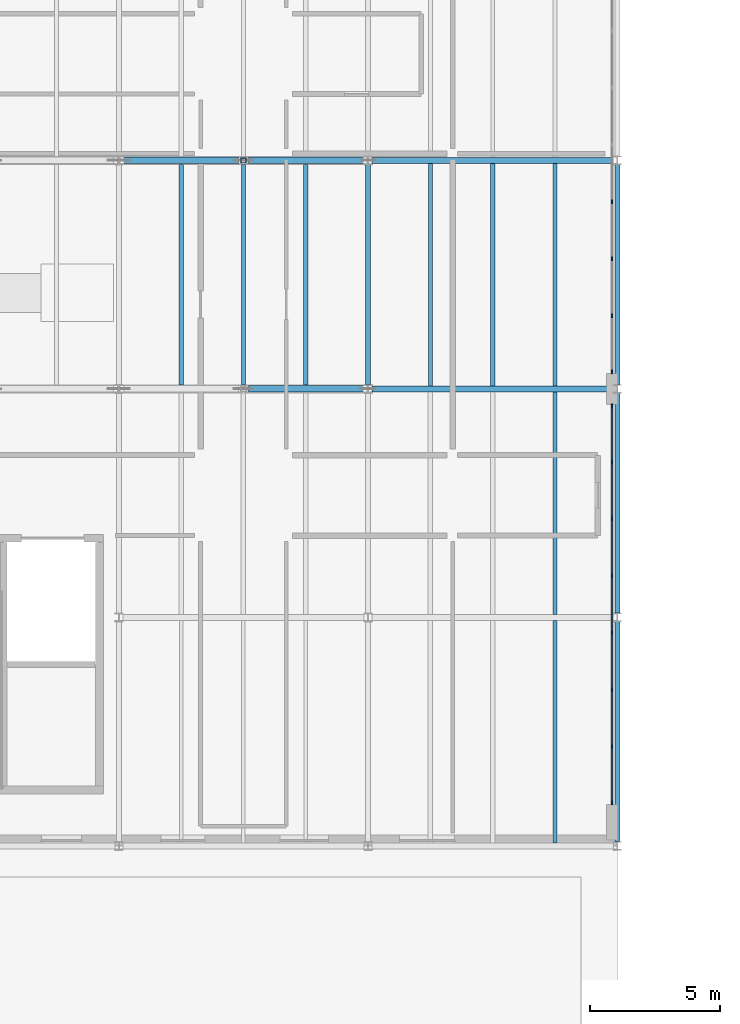
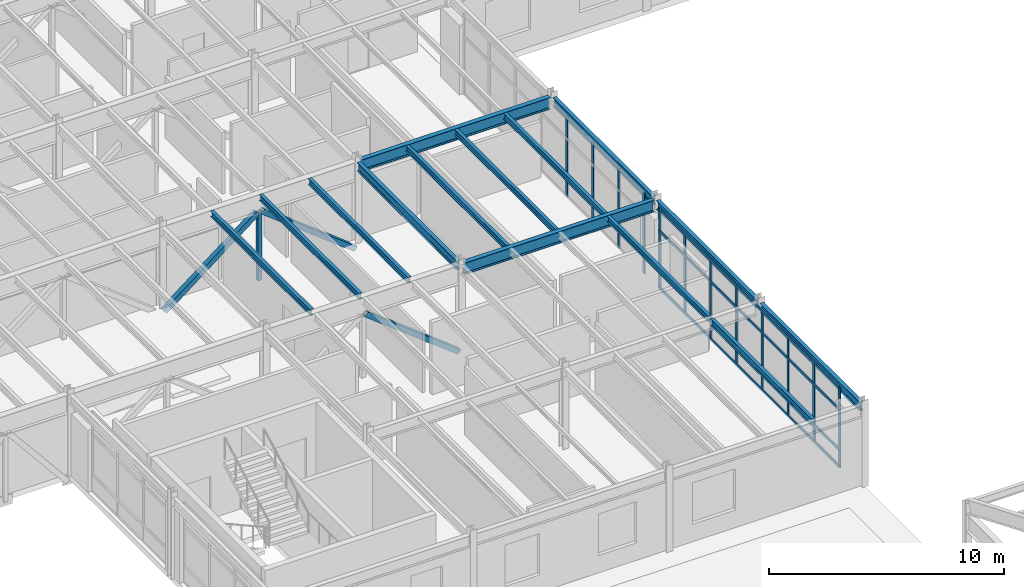
# One storey, part 22 of 88: 20 members, 14 beams, 2 elements without a shape of their own.
"""IFC4 building model written with IfcOpenShell, lengths in metres."""

from ifc_helpers import new_model, si_unit, direction, frame, origin, origin_2d, place, context, subcontext, project, spatial, rectangle, hollow_rectangle, i_section, extrude, material, material_profile, profile_set, type_object, element, aggregate, save


model = new_model("IFC4")

# Units and contexts
model_context = context("Model", 3, precision=1e-05, world=origin(), true_north=direction((0.0, 1.0)))
body_context = subcontext(model_context, "Body", "Model", "MODEL_VIEW")
ifc_project = project(units=[si_unit("LENGTHUNIT", "METRE"), si_unit("AREAUNIT", "SQUARE_METRE"), si_unit("VOLUMEUNIT", "CUBIC_METRE"), si_unit("PLANEANGLEUNIT", "RADIAN"), si_unit("MASSUNIT", "GRAM", prefix="KILO")], contexts=[model_context])

# Site, building, storey
site_placement = place(None, origin())
site = spatial("IfcSite", under=ifc_project, at=site_placement, CompositionType="ELEMENT")
building_placement = place(site_placement, origin())
building = spatial("IfcBuilding", under=site, at=building_placement, Name="Sarnbrook Museum", CompositionType="ELEMENT")
storey_placement = place(building_placement, frame((0.0, 0.0, 10.10009765625)))
storey = spatial("IfcBuildingStorey", under=building, at=storey_placement, Name="L02", CompositionType="ELEMENT", Elevation=10.10009765625)

# Beams
ifc_material_1 = material(Name="Structural Steel Grade 300PLUS (AS/NZS 3679.1, fy = 280 MPa for 17 < t <= 40 mm, 300 MPa for t <= 17 mm)", Category="steel")
ifc_material_profile_1 = material_profile(ifc_material_1, i_section(OverallWidth=0.18994140625, OverallDepth=0.45703125, WebThickness=0.009033203125, FlangeThickness=0.014404296875, FilletRadius=0.011474609375, at=origin_2d()), Name="460UB74.6")
ifc_profile_set_1 = profile_set([ifc_material_profile_1], Name="Structural Steel Grade 300PLUS (AS/NZS 3679.1, fy = 280 MPa for 17 < t <= 40 mm, 300 MPa for t <= 17 mm)")
beam_type_1 = type_object("IfcBeamType", Name="BM-UB460", PredefinedType="BEAM", material=ifc_profile_set_1)
beam_1_placement = place(storey_placement, frame((32.800048828125, 56.96337890625, 3.991455078125), z_axis=(0.0, 1.0, 0.0), x_axis=(-1.0, 0.0, 0.0)))
element("IfcBeam", 1, at=beam_1_placement, inside=storey, type_object=beam_type_1, Name="Girder 4:G-H L02", PredefinedType="BEAM", context=body_context, shape_type="SweptSolid", body=[
    extrude(i_section(OverallWidth=0.18994140625, OverallDepth=0.45703125, WebThickness=0.009033203125, FlangeThickness=0.014404296875, FilletRadius=0.011474609375, at=origin_2d()), origin(), (0.0, 0.0, 1.0), 8.47314453125),
])
for number, where, z_axis, x_axis, name in (
    (2, (42.39990234375, 39.363525390625, 3.991455078125), (0.0, 1.0, 0.0), (-1.0, 0.0, 0.0), "Girder 5:E-F L02"),
    (3, (42.39990234375, 48.16357421875, 3.991455078125), (0.0, 1.0, 0.0), (-1.0, 0.0, 0.0), "Girder 5:F-G L02"),
):
    element("IfcBeam", number, at=place(storey_placement, frame(where, z_axis=z_axis, x_axis=x_axis)), inside=storey, type_object=beam_type_1, Name=name, PredefinedType="BEAM", context=body_context, shape_type="SweptSolid", body=[
        extrude(i_section(OverallWidth=0.18994140625, OverallDepth=0.45703125, WebThickness=0.009033203125, FlangeThickness=0.014404296875, FilletRadius=0.011474609375, at=origin_2d()), origin(), (0.0, 0.0, 1.0), 8.472900390625),
    ])
beam_2_placement = place(storey_placement, frame((42.39990234375, 56.96337890625, 3.991455078125), z_axis=(0.0, 1.0, 0.0), x_axis=(-1.0, 0.0, 0.0)))
element("IfcBeam", 4, at=beam_2_placement, inside=storey, type_object=beam_type_1, Name="Girder 5:G-H L02", PredefinedType="BEAM", context=body_context, shape_type="SweptSolid", body=[
    extrude(i_section(OverallWidth=0.18994140625, OverallDepth=0.45703125, WebThickness=0.009033203125, FlangeThickness=0.014404296875, FilletRadius=0.011474609375, at=origin_2d()), origin(), (0.0, 0.0, 1.0), 8.47314453125),
])
ifc_material_profile_2 = material_profile(ifc_material_1, i_section(OverallWidth=0.22802734375, OverallDepth=0.60693359375, WebThickness=0.01123046875, FlangeThickness=0.017333984375, FilletRadius=0.013916015625, at=origin_2d()), Name="610UB113")
ifc_profile_set_2 = profile_set([ifc_material_profile_2], Name="Structural Steel Grade 300PLUS (AS/NZS 3679.1, fy = 280 MPa for 17 < t <= 40 mm, 300 MPa for t <= 17 mm)")
beam_type_2 = type_object("IfcBeamType", Name="BM-UB610", PredefinedType="BEAM", material=ifc_profile_set_2)
for number, where, z_axis, x_axis, name in (
    (5, (32.95556640625, 56.800048828125, 3.91650390625), (1.0, 0.0, 0.0), (0.0, 1.0, 0.0), "Girder G:4-5 L02"),
    (6, (32.95556640625, 65.60009765625, 3.91650390625), (1.0, 0.0, 0.0), (0.0, 1.0, 0.0), "Girder H:4-5 L02"),
):
    element("IfcBeam", number, at=place(storey_placement, frame(where, z_axis=z_axis, x_axis=x_axis)), inside=storey, type_object=beam_type_2, Name=name, PredefinedType="BEAM", context=body_context, shape_type="SweptSolid", body=[
        extrude(i_section(OverallWidth=0.22802734375, OverallDepth=0.60693359375, WebThickness=0.01123046875, FlangeThickness=0.017333984375, FilletRadius=0.013916015625, at=origin_2d()), origin(), (0.0, 0.0, 1.0), 9.288818359375),
    ])

# Member
ifc_material_2 = material(Name="Structural Steel Hollow Section Grade C350L0 (AS/NZS 1163, fy = 350 MPa)", Category="steel")
ifc_material_profile_3 = material_profile(ifc_material_2, hollow_rectangle(XDim=0.199951171875, YDim=0.199951171875, WallThickness=0.010009765625, at=origin_2d()), Name="200x200x10.0SHS")
ifc_profile_set_3 = profile_set([ifc_material_profile_3], Name="Structural Steel Hollow Section Grade C350L0 (AS/NZS 1163, fy = 350 MPa)")
member_type_1 = type_object("IfcMemberType", Name="CH-SHS200", PredefinedType="CHORD", material=ifc_profile_set_3)
member_1_placement = place(storey_placement, frame((28.0, 65.60009765625, -0.300048828125), z_axis=(0.0, 0.0, 1.0), x_axis=(1.0, 0.0, 0.0)))
element("IfcMember", 7, at=member_1_placement, inside=storey, type_object=member_type_1, Name="Transfer Truss TT2 Web Post 1", PredefinedType="CHORD", context=body_context, shape_type="SweptSolid", body=[
    extrude(hollow_rectangle(XDim=0.199951171875, YDim=0.199951171875, WallThickness=0.010009765625, at=origin_2d()), origin(), (0.0, 0.0, 1.0), 3.5400390625),
])

# Curtain wall, members
ifc_material_3 = material(Name="Thermally Broken Anodised Aluminium 6063-T6", Category="aluminium")
curtain_wall_type = type_object("IfcCurtainWallType", Name="CurtainWall_GalleryRibbon", PredefinedType="NOTDEFINED", material=ifc_material_3)
curtain_wall_1_placement = place(storey_placement, origin())
curtain_wall_1 = element("IfcCurtainWall", 8, at=curtain_wall_1_placement, inside=storey, type_object=curtain_wall_type, Name="Gallery Ribbon Curtain Wall L02-12.1", PredefinedType="NOTDEFINED")
ifc_material_profile_4 = material_profile(ifc_material_3, rectangle(XDim=0.06005859375, YDim=0.159912109375, at=origin_2d()), Name="ALU MULLION 60x160")
ifc_profile_set_4 = profile_set([ifc_material_profile_4], Name="Thermally Broken Anodised Aluminium 6063-T6")
member_type_2 = type_object("IfcMemberType", Name="CW_Mullion_150x65", PredefinedType="MULLION", material=ifc_profile_set_4)
member_2_placement = place(storey_placement, frame((42.18994140625, 40.860107421875, 0.0), z_axis=(0.0, 0.0, 1.0), x_axis=(1.0, 0.0, 0.0)))
member_2 = element("IfcMember", 9, at=member_2_placement, type_object=member_type_2, Name="Gallery Ribbon Curtain Wall L02-12.1 Mullion 1", PredefinedType="MULLION", context=body_context, shape_type="SweptSolid", body=[
    extrude(rectangle(XDim=0.06005859375, YDim=0.159912109375, at=origin_2d()), origin(), (0.0, 0.0, 1.0), 4.159912109375),
])
member_3_placement = place(storey_placement, frame((42.18994140625, 43.014404296875, 0.0), z_axis=(0.0, 0.0, 1.0), x_axis=(1.0, 0.0, 0.0)))
member_3 = element("IfcMember", 10, at=member_3_placement, type_object=member_type_2, Name="Gallery Ribbon Curtain Wall L02-12.1 Mullion 2", PredefinedType="MULLION", context=body_context, shape_type="SweptSolid", body=[
    extrude(rectangle(XDim=0.06005859375, YDim=0.159912109375, at=origin_2d()), origin(), (0.0, 0.0, 1.0), 4.159912109375),
])
member_4_placement = place(storey_placement, frame((42.18994140625, 45.20849609375, 0.0), z_axis=(0.0, 0.0, 1.0), x_axis=(1.0, 0.0, 0.0)))
member_4 = element("IfcMember", 11, at=member_4_placement, type_object=member_type_2, Name="Gallery Ribbon Curtain Wall L02-12.1 Mullion 3", PredefinedType="MULLION", context=body_context, shape_type="SweptSolid", body=[
    extrude(rectangle(XDim=0.06005859375, YDim=0.159912109375, at=origin_2d()), origin(), (0.0, 0.0, 1.0), 4.159912109375),
])
member_5_placement = place(storey_placement, frame((42.18994140625, 47.40283203125, 0.0), z_axis=(0.0, 0.0, 1.0), x_axis=(1.0, 0.0, 0.0)))
member_5 = element("IfcMember", 12, at=member_5_placement, type_object=member_type_2, Name="Gallery Ribbon Curtain Wall L02-12.1 Mullion 4", PredefinedType="MULLION", context=body_context, shape_type="SweptSolid", body=[
    extrude(rectangle(XDim=0.06005859375, YDim=0.159912109375, at=origin_2d()), origin(), (0.0, 0.0, 1.0), 4.159912109375),
])
member_6_placement = place(storey_placement, frame((42.18994140625, 49.59716796875, 0.0), z_axis=(0.0, 0.0, 1.0), x_axis=(1.0, 0.0, 0.0)))
member_6 = element("IfcMember", 13, at=member_6_placement, type_object=member_type_2, Name="Gallery Ribbon Curtain Wall L02-12.1 Mullion 5", PredefinedType="MULLION", context=body_context, shape_type="SweptSolid", body=[
    extrude(rectangle(XDim=0.06005859375, YDim=0.159912109375, at=origin_2d()), origin(), (0.0, 0.0, 1.0), 4.159912109375),
])
member_7_placement = place(storey_placement, frame((42.18994140625, 51.79150390625, 0.0), z_axis=(0.0, 0.0, 1.0), x_axis=(1.0, 0.0, 0.0)))
member_7 = element("IfcMember", 14, at=member_7_placement, type_object=member_type_2, Name="Gallery Ribbon Curtain Wall L02-12.1 Mullion 6", PredefinedType="MULLION", context=body_context, shape_type="SweptSolid", body=[
    extrude(rectangle(XDim=0.06005859375, YDim=0.159912109375, at=origin_2d()), origin(), (0.0, 0.0, 1.0), 4.159912109375),
])
member_8_placement = place(storey_placement, frame((42.18994140625, 53.985595703125, 0.0), z_axis=(0.0, 0.0, 1.0), x_axis=(1.0, 0.0, 0.0)))
member_8 = element("IfcMember", 15, at=member_8_placement, type_object=member_type_2, Name="Gallery Ribbon Curtain Wall L02-12.1 Mullion 7", PredefinedType="MULLION", context=body_context, shape_type="SweptSolid", body=[
    extrude(rectangle(XDim=0.06005859375, YDim=0.159912109375, at=origin_2d()), origin(), (0.0, 0.0, 1.0), 4.159912109375),
])
member_9_placement = place(storey_placement, frame((42.18994140625, 56.139892578125, 0.0), z_axis=(0.0, 0.0, 1.0), x_axis=(1.0, 0.0, 0.0)))
member_9 = element("IfcMember", 16, at=member_9_placement, type_object=member_type_2, Name="Gallery Ribbon Curtain Wall L02-12.1 Mullion 8", PredefinedType="MULLION", context=body_context, shape_type="SweptSolid", body=[
    extrude(rectangle(XDim=0.06005859375, YDim=0.159912109375, at=origin_2d()), origin(), (0.0, 0.0, 1.0), 4.159912109375),
])

curtain_wall_2_placement = place(storey_placement, origin())
curtain_wall_2 = element("IfcCurtainWall", 17, at=curtain_wall_2_placement, inside=storey, type_object=curtain_wall_type, Name="Gallery Ribbon Curtain Wall L02-12.2", PredefinedType="NOTDEFINED")
member_10_placement = place(storey_placement, frame((42.18994140625, 57.4599609375, 0.0), z_axis=(0.0, 0.0, 1.0), x_axis=(1.0, 0.0, 0.0)))
member_10 = element("IfcMember", 18, at=member_10_placement, type_object=member_type_2, Name="Gallery Ribbon Curtain Wall L02-12.2 Mullion 1", PredefinedType="MULLION", context=body_context, shape_type="SweptSolid", body=[
    extrude(rectangle(XDim=0.06005859375, YDim=0.159912109375, at=origin_2d()), origin(), (0.0, 0.0, 1.0), 4.159912109375),
])
member_11_placement = place(storey_placement, frame((42.18994140625, 59.6142578125, 0.0), z_axis=(0.0, 0.0, 1.0), x_axis=(1.0, 0.0, 0.0)))
member_11 = element("IfcMember", 19, at=member_11_placement, type_object=member_type_2, Name="Gallery Ribbon Curtain Wall L02-12.2 Mullion 2", PredefinedType="MULLION", context=body_context, shape_type="SweptSolid", body=[
    extrude(rectangle(XDim=0.06005859375, YDim=0.159912109375, at=origin_2d()), origin(), (0.0, 0.0, 1.0), 4.159912109375),
])
member_12_placement = place(storey_placement, frame((42.18994140625, 61.80859375, 0.0), z_axis=(0.0, 0.0, 1.0), x_axis=(1.0, 0.0, 0.0)))
member_12 = element("IfcMember", 20, at=member_12_placement, type_object=member_type_2, Name="Gallery Ribbon Curtain Wall L02-12.2 Mullion 3", PredefinedType="MULLION", context=body_context, shape_type="SweptSolid", body=[
    extrude(rectangle(XDim=0.06005859375, YDim=0.159912109375, at=origin_2d()), origin(), (0.0, 0.0, 1.0), 4.159912109375),
])
member_13_placement = place(storey_placement, frame((42.18994140625, 64.0029296875, 0.0), z_axis=(0.0, 0.0, 1.0), x_axis=(1.0, 0.0, 0.0)))
member_13 = element("IfcMember", 21, at=member_13_placement, type_object=member_type_2, Name="Gallery Ribbon Curtain Wall L02-12.2 Mullion 4", PredefinedType="MULLION", context=body_context, shape_type="SweptSolid", body=[
    extrude(rectangle(XDim=0.06005859375, YDim=0.159912109375, at=origin_2d()), origin(), (0.0, 0.0, 1.0), 4.159912109375),
])
aggregate(curtain_wall_2, [member_10, member_11, member_12, member_13])

# Member
ifc_material_profile_5 = material_profile(ifc_material_3, rectangle(XDim=0.06494140625, YDim=0.139892578125, at=origin_2d()), Name="ALU TRANSOM 65x140")
ifc_profile_set_5 = profile_set([ifc_material_profile_5], Name="Thermally Broken Anodised Aluminium 6063-T6")
member_type_3 = type_object("IfcMemberType", Name="CW_Transom_150x65", PredefinedType="USERDEFINED", material=ifc_profile_set_5)
member_14_placement = place(storey_placement, frame((42.18994140625, 40.8701171875, 0.039794921875), z_axis=(0.0, 1.0, 0.0), x_axis=(-1.0, 0.0, 0.0)))
member_14 = element("IfcMember", 22, at=member_14_placement, type_object=member_type_3, Name="Gallery Ribbon Curtain Wall L02-12.1 Transom 1", ObjectType="TRANSOM", PredefinedType="USERDEFINED", context=body_context, shape_type="SweptSolid", body=[
    extrude(rectangle(XDim=0.06494140625, YDim=0.139892578125, at=origin_2d()), origin(), (0.0, 0.0, 1.0), 15.259765625),
])

member_15_placement = place(storey_placement, frame((42.18994140625, 40.8701171875, 0.89990234375), z_axis=(0.0, 1.0, 0.0), x_axis=(-1.0, 0.0, 0.0)))
member_15 = element("IfcMember", 23, at=member_15_placement, type_object=member_type_3, Name="Gallery Ribbon Curtain Wall L02-12.1 Transom 2", ObjectType="TRANSOM", PredefinedType="USERDEFINED", context=body_context, shape_type="SweptSolid", body=[
    extrude(rectangle(XDim=0.06494140625, YDim=0.139892578125, at=origin_2d()), origin(), (0.0, 0.0, 1.0), 15.259765625),
])

member_16_placement = place(storey_placement, frame((42.18994140625, 40.8701171875, 3.0), z_axis=(0.0, 1.0, 0.0), x_axis=(-1.0, 0.0, 0.0)))
member_16 = element("IfcMember", 24, at=member_16_placement, type_object=member_type_3, Name="Gallery Ribbon Curtain Wall L02-12.1 Transom 3", ObjectType="TRANSOM", PredefinedType="USERDEFINED", context=body_context, shape_type="SweptSolid", body=[
    extrude(rectangle(XDim=0.06494140625, YDim=0.139892578125, at=origin_2d()), origin(), (0.0, 0.0, 1.0), 15.259765625),
])

member_17_placement = place(storey_placement, frame((42.18994140625, 40.8701171875, 4.119873046875), z_axis=(0.0, 1.0, 0.0), x_axis=(-1.0, 0.0, 0.0)))
member_17 = element("IfcMember", 25, at=member_17_placement, type_object=member_type_3, Name="Gallery Ribbon Curtain Wall L02-12.1 Transom 4", ObjectType="TRANSOM", PredefinedType="USERDEFINED", context=body_context, shape_type="SweptSolid", body=[
    extrude(rectangle(XDim=0.06494140625, YDim=0.139892578125, at=origin_2d()), origin(), (0.0, 0.0, 1.0), 15.259765625),
])

aggregate(curtain_wall_1, [member_2, member_3, member_4, member_5, member_6, member_7, member_8, member_9, member_14, member_15, member_16, member_17])

# Beams
ifc_material_profile_6 = material_profile(ifc_material_1, i_section(OverallWidth=0.1650390625, OverallDepth=0.303955078125, WebThickness=0.006103515625, FlangeThickness=0.01025390625, FilletRadius=0.011474609375, at=origin_2d()), Name="310UB40.4")
ifc_profile_set_6 = profile_set([ifc_material_profile_6], Name="Structural Steel Grade 300PLUS (AS/NZS 3679.1, fy = 280 MPa for 17 < t <= 40 mm, 300 MPa for t <= 17 mm)")
beam_type_3 = type_object("IfcBeamType", Name="JS-UB310", PredefinedType="JOIST", material=ifc_profile_set_6)
for number, where, z_axis, x_axis, name in (
    (26, (35.199951171875, 56.9140625, 4.06787109375), (0.0, 1.0, 0.0), (-1.0, 0.0, 0.0), "Composite Floor Joist 4G-1 L02"),
    (27, (37.60009765625, 56.9140625, 4.06787109375), (0.0, 1.0, 0.0), (-1.0, 0.0, 0.0), "Composite Floor Joist 4G-2 L02"),
    (28, (40.0, 56.9140625, 4.06787109375), (0.0, 1.0, 0.0), (-1.0, 0.0, 0.0), "Composite Floor Joist 4G-3 L02"),
):
    element("IfcBeam", number, at=place(storey_placement, frame(where, z_axis=z_axis, x_axis=x_axis)), inside=storey, type_object=beam_type_3, Name=name, PredefinedType="JOIST", context=body_context, shape_type="SweptSolid", body=[
        extrude(i_section(OverallWidth=0.1650390625, OverallDepth=0.303955078125, WebThickness=0.006103515625, FlangeThickness=0.01025390625, FilletRadius=0.011474609375, at=origin_2d()), origin(), (0.0, 0.0, 1.0), 8.572021484375),
    ])
ifc_material_profile_7 = material_profile(ifc_material_1, i_section(OverallWidth=0.166015625, OverallDepth=0.306884765625, WebThickness=0.006591796875, FlangeThickness=0.01171875, FilletRadius=0.011474609375, at=origin_2d()), Name="310UB46.2")
ifc_profile_set_7 = profile_set([ifc_material_profile_7], Name="Structural Steel Grade 300PLUS (AS/NZS 3679.1, fy = 280 MPa for 17 < t <= 40 mm, 300 MPa for t <= 17 mm)")
beam_type_4 = type_object("IfcBeamType", Name="JS-UB310H", PredefinedType="JOIST", material=ifc_profile_set_7)
for number, where, z_axis, x_axis, name in (
    (29, (25.60009765625, 56.949951171875, 4.06640625), (0.0, 1.0, 0.0), (-1.0, 0.0, 0.0), "Composite Floor Joist 3G-1 L02"),
    (30, (28.0, 56.949951171875, 4.06640625), (0.0, 1.0, 0.0), (-1.0, 0.0, 0.0), "Composite Floor Joist 3G-2 L02"),
    (31, (30.39990234375, 56.949951171875, 4.06640625), (0.0, 1.0, 0.0), (-1.0, 0.0, 0.0), "Composite Floor Joist 3G-3 L02"),
):
    element("IfcBeam", number, at=place(storey_placement, frame(where, z_axis=z_axis, x_axis=x_axis)), inside=storey, type_object=beam_type_4, Name=name, PredefinedType="JOIST", context=body_context, shape_type="SweptSolid", body=[
        extrude(i_section(OverallWidth=0.166015625, OverallDepth=0.306884765625, WebThickness=0.006591796875, FlangeThickness=0.01171875, FilletRadius=0.011474609375, at=origin_2d()), origin(), (0.0, 0.0, 1.0), 8.5),
    ])
beam_3_placement = place(storey_placement, frame((40.0, 48.114013671875, 4.06640625), z_axis=(0.0, 1.0, 0.0), x_axis=(-1.0, 0.0, 0.0)))
element("IfcBeam", 32, at=beam_3_placement, inside=storey, type_object=beam_type_4, Name="Composite Floor Joist 4F-3 L02", PredefinedType="JOIST", context=body_context, shape_type="SweptSolid", body=[
    extrude(i_section(OverallWidth=0.166015625, OverallDepth=0.306884765625, WebThickness=0.006591796875, FlangeThickness=0.01171875, FilletRadius=0.011474609375, at=origin_2d()), origin(), (0.0, 0.0, 1.0), 8.572021484375),
])
ifc_material_profile_8 = material_profile(ifc_material_1, i_section(OverallWidth=0.1708984375, OverallDepth=0.35595703125, WebThickness=0.00732421875, FlangeThickness=0.011474609375, FilletRadius=0.011474609375, at=origin_2d()), Name="360UB50.7")
ifc_profile_set_8 = profile_set([ifc_material_profile_8], Name="Structural Steel Grade 300PLUS (AS/NZS 3679.1, fy = 280 MPa for 17 < t <= 40 mm, 300 MPa for t <= 17 mm)")
beam_type_5 = type_object("IfcBeamType", Name="JS-UB360", PredefinedType="JOIST", material=ifc_profile_set_8)
beam_4_placement = place(storey_placement, frame((40.0, 39.31396484375, 4.0419921875), z_axis=(0.0, 1.0, 0.0), x_axis=(-1.0, 0.0, 0.0)))
element("IfcBeam", 33, at=beam_4_placement, inside=storey, type_object=beam_type_5, Name="Composite Floor Joist 4E-3 L02", PredefinedType="JOIST", context=body_context, shape_type="SweptSolid", body=[
    extrude(i_section(OverallWidth=0.1708984375, OverallDepth=0.35595703125, WebThickness=0.00732421875, FlangeThickness=0.011474609375, FilletRadius=0.011474609375, at=origin_2d()), origin(), (0.0, 0.0, 1.0), 8.572021484375),
])

# Members
ifc_material_profile_9 = material_profile(ifc_material_2, hollow_rectangle(XDim=0.25, YDim=0.25, WallThickness=0.012451171875, at=origin_2d()), Name="250x250x12.5SHS")
ifc_profile_set_9 = profile_set([ifc_material_profile_9], Name="Structural Steel Hollow Section Grade C350L0 (AS/NZS 1163, fy = 350 MPa)")
member_type_4 = type_object("IfcMemberType", Name="MB-SHS250", PredefinedType="BRACE", material=ifc_profile_set_9)
for number, where, z_axis, x_axis, name in (
    (34, (32.679931640625, 56.800048828125, -0.300048828125), (-0.789896178553, 0.0, 0.613240594797), (0.0, -1.0, 0.0), "Transfer Truss TT1 Web Diagonal 1"),
    (35, (32.679931640625, 65.60009765625, -0.300048828125), (-0.789896178553, 0.0, 0.613240594797), (0.0, -1.0, 0.0), "Transfer Truss TT2 Web Diagonal 1"),
    (36, (27.8798828125, 65.60009765625, 3.239990234375), (-0.789896178553, 0.0, -0.613240594797), (0.0, -1.0, 0.0), "Transfer Truss TT2 Web Diagonal 2"),
):
    element("IfcMember", number, at=place(storey_placement, frame(where, z_axis=z_axis, x_axis=x_axis)), inside=storey, type_object=member_type_4, Name=name, PredefinedType="BRACE", context=body_context, shape_type="SweptSolid", body=[
        extrude(hollow_rectangle(XDim=0.25, YDim=0.25, WallThickness=0.012451171875, at=origin_2d()), origin(), (0.0, 0.0, 1.0), 5.772705078125),
    ])

save(model, "model.ifc")
